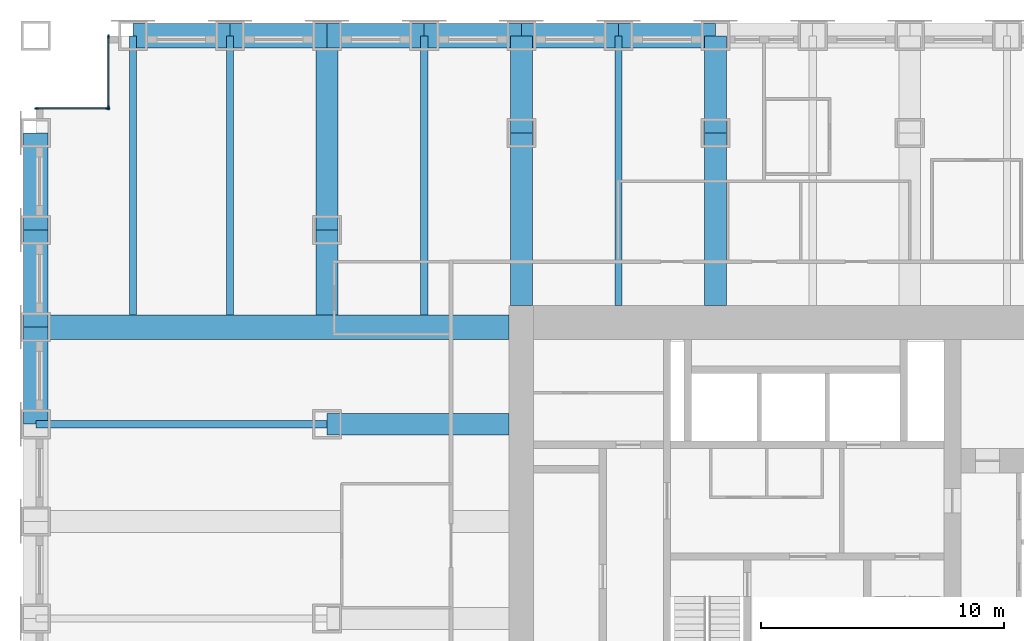
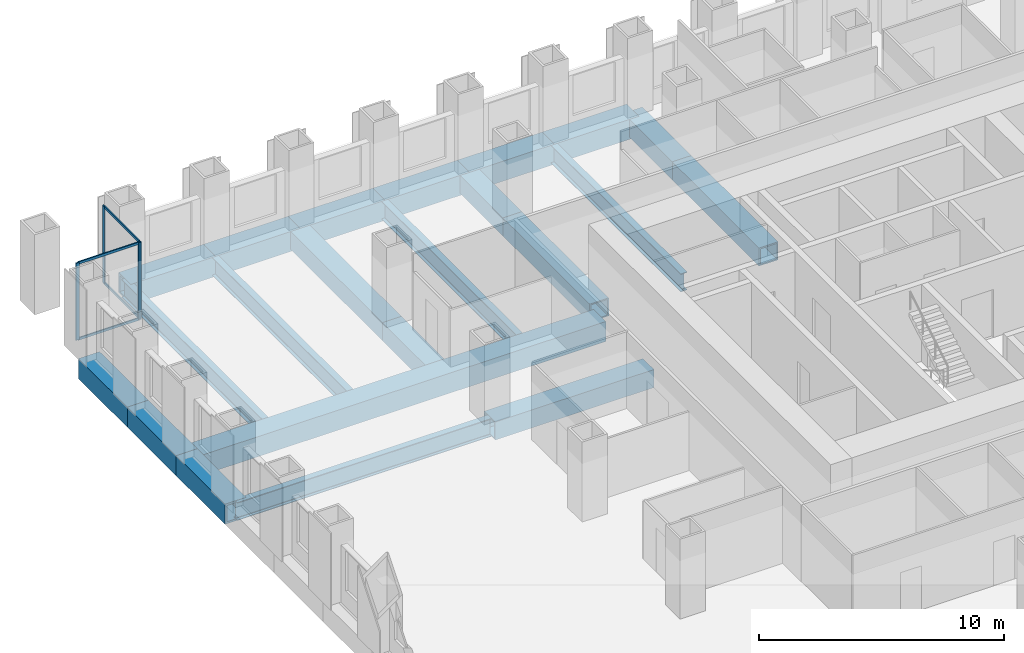
# One storey, part 5 of 14: 22 beams, 8 members, 2 elements without a shape of their own.
"""IFC4 building model written with IfcOpenShell, lengths in metres."""

from ifc_helpers import new_model, si_unit, direction, frame, origin, origin_2d, place, context, subcontext, project, spatial, rectangle, hollow_rectangle, i_section, extrude, material, material_profile, profile_set, type_object, element, aggregate, save


model = new_model("IFC4")

# Units and contexts
model_context = context("Model", 3, precision=1e-05, world=origin(), true_north=direction((0.0, 1.0)))
body_context = subcontext(model_context, "Body", "Model", "MODEL_VIEW")
ifc_project = project(units=[si_unit("LENGTHUNIT", "METRE"), si_unit("AREAUNIT", "SQUARE_METRE"), si_unit("VOLUMEUNIT", "CUBIC_METRE"), si_unit("PLANEANGLEUNIT", "RADIAN"), si_unit("MASSUNIT", "GRAM", prefix="KILO")], contexts=[model_context])

# Site, building, storey
site_placement = place(None, origin())
site = spatial("IfcSite", under=ifc_project, at=site_placement, CompositionType="ELEMENT")
building_placement = place(site_placement, origin())
building = spatial("IfcBuilding", under=site, at=building_placement, Name="Rimbunsela Tower", CompositionType="ELEMENT")
storey_placement = place(building_placement, frame((0.0, 0.0, 51.0)))
storey = spatial("IfcBuildingStorey", under=building, at=storey_placement, Name="L12", CompositionType="ELEMENT", Elevation=51.0)

# Beams
ifc_material_1 = material(Name="Steel BJ 55 (fy 410 MPa)", Category="steel")
ifc_material_profile_1 = material_profile(ifc_material_1, hollow_rectangle(XDim=1.0, YDim=1.0, WallThickness=0.10009765625, at=origin_2d()), Name="BOX 1000x1000x100")
ifc_profile_set_1 = profile_set([ifc_material_profile_1], Name="Steel BJ 55 (fy 410 MPa)")
beam_type_1 = type_object("IfcBeamType", Name="Beam BOX 1000x1000x100", PredefinedType="BEAM", material=ifc_profile_set_1)
for number, where, z_axis, x_axis, name in (
    (1, (-2.0, 32.0, -0.64990234375), (0.0, 1.0, 0.0), (-1.0, 0.0, 0.0), "Beam B3 L12"),
    (2, (-2.0, 36.0, -0.64990234375), (0.0, 1.0, 0.0), (-1.0, 0.0, 0.0), "Beam B3 L12"),
):
    element("IfcBeam", number, at=place(storey_placement, frame(where, z_axis=z_axis, x_axis=x_axis)), inside=storey, type_object=beam_type_1, Name=name, PredefinedType="BEAM", context=body_context, shape_type="SweptSolid", body=[
        extrude(hollow_rectangle(XDim=1.0, YDim=1.0, WallThickness=0.10009765625, at=origin_2d()), origin(), (0.0, 0.0, 1.0), 4.0),
    ])
beam_1_placement = place(storey_placement, frame((-2.0, 36.0, -0.64990234375), z_axis=(1.0, 0.0, 0.0), x_axis=(0.0, 1.0, 0.0)))
element("IfcBeam", 3, at=beam_1_placement, inside=storey, type_object=beam_type_1, Name="Beam B3 L12", PredefinedType="BEAM", context=body_context, shape_type="SweptSolid", body=[
    extrude(hollow_rectangle(XDim=1.0, YDim=1.0, WallThickness=0.10009765625, at=origin_2d()), origin(), (0.0, 0.0, 1.0), 19.5),
])
for number, where, z_axis, x_axis, name in (
    (4, (-2.0, 40.0, -0.64990234375), (0.0, 1.0, 0.0), (-1.0, 0.0, 0.0), "Beam B3 L12"),
    (5, (2.0, 48.0, -0.64990234375), (1.0, 0.0, 0.0), (0.0, 1.0, 0.0), "Beam B3 L12"),
    (6, (6.0, 48.0, -0.64990234375), (1.0, 0.0, 0.0), (0.0, 1.0, 0.0), "Beam B3 L12"),
    (7, (10.0, 48.0, -0.64990234375), (1.0, 0.0, 0.0), (0.0, 1.0, 0.0), "Beam B3 L12"),
    (8, (14.0, 48.0, -0.64990234375), (1.0, 0.0, 0.0), (0.0, 1.0, 0.0), "Beam B3 L12"),
    (9, (18.0, 48.0, -0.64990234375), (1.0, 0.0, 0.0), (0.0, 1.0, 0.0), "Beam B3 L12"),
    (10, (22.0, 48.0, -0.64990234375), (1.0, 0.0, 0.0), (0.0, 1.0, 0.0), "Beam B3 L12"),
):
    element("IfcBeam", number, at=place(storey_placement, frame(where, z_axis=z_axis, x_axis=x_axis)), inside=storey, type_object=beam_type_1, Name=name, PredefinedType="BEAM", context=body_context, shape_type="SweptSolid", body=[
        extrude(hollow_rectangle(XDim=1.0, YDim=1.0, WallThickness=0.10009765625, at=origin_2d()), origin(), (0.0, 0.0, 1.0), 4.0),
    ])
ifc_material_2 = material(Name="Steel BJ 55 (fy 410 MPa)", Category="steel")
ifc_material_profile_2 = material_profile(ifc_material_2, hollow_rectangle(XDim=0.89990234375, YDim=0.89990234375, WallThickness=0.06005859375, at=origin_2d()), Name="BOX 900x900x60")
ifc_profile_set_2 = profile_set([ifc_material_profile_2], Name="Steel BJ 55 (fy 410 MPa)")
beam_type_2 = type_object("IfcBeamType", Name="Beam BOX 900x900x60", PredefinedType="BEAM", material=ifc_profile_set_2)
beam_2_placement = place(storey_placement, frame((10.0, 32.0, -0.60009765625), z_axis=(1.0, 0.0, 0.0), x_axis=(0.0, 1.0, 0.0)))
element("IfcBeam", 11, at=beam_2_placement, inside=storey, type_object=beam_type_2, Name="Beam B1 L12", PredefinedType="BEAM", context=body_context, shape_type="SweptSolid", body=[
    extrude(hollow_rectangle(XDim=0.89990234375, YDim=0.89990234375, WallThickness=0.06005859375, at=origin_2d()), origin(), (0.0, 0.0, 1.0), 7.5),
])
beam_3_placement = place(storey_placement, frame((10.0, 36.5, -0.60009765625), z_axis=(0.0, 1.0, 0.0), x_axis=(-1.0, 0.0, 0.0)))
element("IfcBeam", 12, at=beam_3_placement, inside=storey, type_object=beam_type_2, Name="Beam B1 L12", PredefinedType="BEAM", context=body_context, shape_type="SweptSolid", body=[
    extrude(hollow_rectangle(XDim=0.89990234375, YDim=0.89990234375, WallThickness=0.06005859375, at=origin_2d()), origin(), (0.0, 0.0, 1.0), 3.5),
])
beam_4_placement = place(storey_placement, frame((10.0, 40.0, -0.60009765625), z_axis=(0.0, 1.0, 0.0), x_axis=(-1.0, 0.0, 0.0)))
element("IfcBeam", 13, at=beam_4_placement, inside=storey, type_object=beam_type_2, Name="Beam B1 L12", PredefinedType="BEAM", context=body_context, shape_type="SweptSolid", body=[
    extrude(hollow_rectangle(XDim=0.89990234375, YDim=0.89990234375, WallThickness=0.06005859375, at=origin_2d()), origin(), (0.0, 0.0, 1.0), 8.0),
])
beam_5_placement = place(storey_placement, frame((18.0, 36.89990234375, -0.60009765625), z_axis=(0.0, 1.0, 0.0), x_axis=(-1.0, 0.0, 0.0)))
element("IfcBeam", 14, at=beam_5_placement, inside=storey, type_object=beam_type_2, Name="Beam B1 L12", PredefinedType="BEAM", context=body_context, shape_type="SweptSolid", body=[
    extrude(hollow_rectangle(XDim=0.89990234375, YDim=0.89990234375, WallThickness=0.06005859375, at=origin_2d()), origin(), (0.0, 0.0, 1.0), 7.10009765625),
])
beam_6_placement = place(storey_placement, frame((18.0, 44.0, -0.60009765625), z_axis=(0.0, 1.0, 0.0), x_axis=(-1.0, 0.0, 0.0)))
element("IfcBeam", 15, at=beam_6_placement, inside=storey, type_object=beam_type_2, Name="Beam B1 L12", PredefinedType="BEAM", context=body_context, shape_type="SweptSolid", body=[
    extrude(hollow_rectangle(XDim=0.89990234375, YDim=0.89990234375, WallThickness=0.06005859375, at=origin_2d()), origin(), (0.0, 0.0, 1.0), 4.0),
])
beam_7_placement = place(storey_placement, frame((26.0, 36.89990234375, -0.60009765625), z_axis=(0.0, 1.0, 0.0), x_axis=(-1.0, 0.0, 0.0)))
element("IfcBeam", 16, at=beam_7_placement, inside=storey, type_object=beam_type_2, Name="Beam B1 L12", PredefinedType="BEAM", context=body_context, shape_type="SweptSolid", body=[
    extrude(hollow_rectangle(XDim=0.89990234375, YDim=0.89990234375, WallThickness=0.06005859375, at=origin_2d()), origin(), (0.0, 0.0, 1.0), 7.10009765625),
])
beam_8_placement = place(storey_placement, frame((26.0, 44.0, -0.60009765625), z_axis=(0.0, 1.0, 0.0), x_axis=(-1.0, 0.0, 0.0)))
element("IfcBeam", 17, at=beam_8_placement, inside=storey, type_object=beam_type_2, Name="Beam B1 L12", PredefinedType="BEAM", context=body_context, shape_type="SweptSolid", body=[
    extrude(hollow_rectangle(XDim=0.89990234375, YDim=0.89990234375, WallThickness=0.06005859375, at=origin_2d()), origin(), (0.0, 0.0, 1.0), 4.0),
])
ifc_material_3 = material(Name="Steel BJ 55 (fy 410 MPa)", Category="steel")
ifc_material_profile_3 = material_profile(ifc_material_3, i_section(OverallWidth=0.300048828125, OverallDepth=0.89990234375, WebThickness=0.01611328125, FlangeThickness=0.028076171875, FilletRadius=0.028076171875, at=origin_2d()), Name="H 900x300x16x28")
ifc_profile_set_3 = profile_set([ifc_material_profile_3], Name="Steel BJ 55 (fy 410 MPa)")
beam_type_3 = type_object("IfcBeamType", Name="Beam H 900x300x16x28", PredefinedType="BEAM", material=ifc_profile_set_3)
beam_9_placement = place(storey_placement, frame((-2.0, 32.0, -0.60009765625), z_axis=(1.0, 0.0, 0.0), x_axis=(0.0, 1.0, 0.0)))
element("IfcBeam", 18, at=beam_9_placement, inside=storey, type_object=beam_type_3, Name="Beam B2 L12", PredefinedType="BEAM", context=body_context, shape_type="SweptSolid", body=[
    extrude(i_section(OverallWidth=0.300048828125, OverallDepth=0.89990234375, WebThickness=0.01611328125, FlangeThickness=0.028076171875, FilletRadius=0.028076171875, at=origin_2d()), origin(), (0.0, 0.0, 1.0), 12.0),
])
for number, where, z_axis, x_axis, name in (
    (19, (2.0, 36.5, -0.60009765625), (0.0, 1.0, 0.0), (-1.0, 0.0, 0.0), "Beam B2 L12"),
    (20, (6.0, 36.5, -0.60009765625), (0.0, 1.0, 0.0), (-1.0, 0.0, 0.0), "Beam B2 L12"),
    (21, (14.0, 36.5, -0.60009765625), (0.0, 1.0, 0.0), (-1.0, 0.0, 0.0), "Beam B2 L12"),
):
    element("IfcBeam", number, at=place(storey_placement, frame(where, z_axis=z_axis, x_axis=x_axis)), inside=storey, type_object=beam_type_3, Name=name, PredefinedType="BEAM", context=body_context, shape_type="SweptSolid", body=[
        extrude(i_section(OverallWidth=0.300048828125, OverallDepth=0.89990234375, WebThickness=0.01611328125, FlangeThickness=0.028076171875, FilletRadius=0.028076171875, at=origin_2d()), origin(), (0.0, 0.0, 1.0), 11.5),
    ])
beam_10_placement = place(storey_placement, frame((22.0, 36.89990234375, -0.60009765625), z_axis=(0.0, 1.0, 0.0), x_axis=(-1.0, 0.0, 0.0)))
element("IfcBeam", 22, at=beam_10_placement, inside=storey, type_object=beam_type_3, Name="Beam B2 L12", PredefinedType="BEAM", context=body_context, shape_type="SweptSolid", body=[
    extrude(i_section(OverallWidth=0.300048828125, OverallDepth=0.89990234375, WebThickness=0.01611328125, FlangeThickness=0.028076171875, FilletRadius=0.028076171875, at=origin_2d()), origin(), (0.0, 0.0, 1.0), 11.10009765625),
])

# Curtain wall, members
ifc_material_4 = material(Name="Aluminium curtain wall", Category="aluminium")
curtain_wall_type = type_object("IfcCurtainWallType", Name="Corner glazing", PredefinedType="USERDEFINED", material=ifc_material_4)
curtain_wall_1_placement = place(storey_placement, origin())
curtain_wall_1 = element("IfcCurtainWall", 23, at=curtain_wall_1_placement, inside=storey, type_object=curtain_wall_type, Name="Corner glazing L12", ObjectType="CORNER GLAZING", PredefinedType="USERDEFINED")
ifc_material_5 = material(Name="Aluminium mullion", Category="aluminium")
ifc_material_profile_4 = material_profile(ifc_material_5, rectangle(XDim=0.06005859375, YDim=0.159912109375, at=origin_2d()), Name="Mullion 60x160")
ifc_profile_set_4 = profile_set([ifc_material_profile_4], Name="Aluminium mullion")
member_type_1 = type_object("IfcMemberType", Name="Curtain wall mullion 60x160", PredefinedType="MULLION", material=ifc_profile_set_4)
member_1_placement = place(storey_placement, frame((1.0, 47.969970703125, 0.0), z_axis=(0.0, 0.0, 1.0), x_axis=(1.0, 0.0, 0.0)))
member_1 = element("IfcMember", 24, at=member_1_placement, type_object=member_type_1, Name="CW5 mullion 1", PredefinedType="MULLION", context=body_context, shape_type="SweptSolid", body=[
    extrude(rectangle(XDim=0.06005859375, YDim=0.159912109375, at=origin_2d()), origin(), (0.0, 0.0, 1.0), 3.85009765625),
])
member_2_placement = place(storey_placement, frame((1.0, 45.030029296875, 0.0), z_axis=(0.0, 0.0, 1.0), x_axis=(1.0, 0.0, 0.0)))
member_2 = element("IfcMember", 25, at=member_2_placement, type_object=member_type_1, Name="CW5 mullion 2", PredefinedType="MULLION", context=body_context, shape_type="SweptSolid", body=[
    extrude(rectangle(XDim=0.06005859375, YDim=0.159912109375, at=origin_2d()), origin(), (0.0, 0.0, 1.0), 3.85009765625),
])

curtain_wall_2_placement = place(storey_placement, origin())
curtain_wall_2 = element("IfcCurtainWall", 26, at=curtain_wall_2_placement, inside=storey, type_object=curtain_wall_type, Name="Corner glazing L12", ObjectType="CORNER GLAZING", PredefinedType="USERDEFINED")
member_3_placement = place(storey_placement, frame((0.969970703125, 45.0, 0.0), z_axis=(0.0, 0.0, 1.0), x_axis=(0.0, -1.0, 0.0)))
member_3 = element("IfcMember", 27, at=member_3_placement, type_object=member_type_1, Name="CW5 mullion 1", PredefinedType="MULLION", context=body_context, shape_type="SweptSolid", body=[
    extrude(rectangle(XDim=0.06005859375, YDim=0.159912109375, at=origin_2d()), origin(), (0.0, 0.0, 1.0), 3.85009765625),
])
member_4_placement = place(storey_placement, frame((-1.969970703125, 45.0, 0.0), z_axis=(0.0, 0.0, 1.0), x_axis=(0.0, -1.0, 0.0)))
member_4 = element("IfcMember", 28, at=member_4_placement, type_object=member_type_1, Name="CW5 mullion 2", PredefinedType="MULLION", context=body_context, shape_type="SweptSolid", body=[
    extrude(rectangle(XDim=0.06005859375, YDim=0.159912109375, at=origin_2d()), origin(), (0.0, 0.0, 1.0), 3.85009765625),
])

# Member
ifc_material_6 = material(Name="Aluminium transom", Category="aluminium")
ifc_material_profile_5 = material_profile(ifc_material_6, rectangle(XDim=0.06005859375, YDim=0.1201171875, at=origin_2d()), Name="Transom 60x120")
ifc_profile_set_5 = profile_set([ifc_material_profile_5], Name="Aluminium transom")
member_type_2 = type_object("IfcMemberType", Name="Curtain wall transom 60x120", PredefinedType="USERDEFINED", material=ifc_profile_set_5)
member_5_placement = place(storey_placement, frame((1.0, 47.93994140625, 0.030029296875), z_axis=(0.0, -1.0, 0.0), x_axis=(1.0, 0.0, 0.0)))
member_5 = element("IfcMember", 29, at=member_5_placement, type_object=member_type_2, Name="CW5 transom 1.1", ObjectType="TRANSOM", PredefinedType="USERDEFINED", context=body_context, shape_type="SweptSolid", body=[
    extrude(rectangle(XDim=0.06005859375, YDim=0.1201171875, at=origin_2d()), origin(), (0.0, 0.0, 1.0), 2.8798828125),
])

member_6_placement = place(storey_placement, frame((1.0, 47.93994140625, 3.820068359375), z_axis=(0.0, -1.0, 0.0), x_axis=(1.0, 0.0, 0.0)))
member_6 = element("IfcMember", 30, at=member_6_placement, type_object=member_type_2, Name="CW5 transom 1.2", ObjectType="TRANSOM", PredefinedType="USERDEFINED", context=body_context, shape_type="SweptSolid", body=[
    extrude(rectangle(XDim=0.06005859375, YDim=0.1201171875, at=origin_2d()), origin(), (0.0, 0.0, 1.0), 2.8798828125),
])

aggregate(curtain_wall_1, [member_1, member_2, member_5, member_6])

member_7_placement = place(storey_placement, frame((0.93994140625, 45.0, 0.030029296875), z_axis=(-1.0, 0.0, 0.0), x_axis=(0.0, -1.0, 0.0)))
member_7 = element("IfcMember", 31, at=member_7_placement, type_object=member_type_2, Name="CW5 transom 1.1", ObjectType="TRANSOM", PredefinedType="USERDEFINED", context=body_context, shape_type="SweptSolid", body=[
    extrude(rectangle(XDim=0.06005859375, YDim=0.1201171875, at=origin_2d()), origin(), (0.0, 0.0, 1.0), 2.8798828125),
])

member_8_placement = place(storey_placement, frame((0.93994140625, 45.0, 3.820068359375), z_axis=(-1.0, 0.0, 0.0), x_axis=(0.0, -1.0, 0.0)))
member_8 = element("IfcMember", 32, at=member_8_placement, type_object=member_type_2, Name="CW5 transom 1.2", ObjectType="TRANSOM", PredefinedType="USERDEFINED", context=body_context, shape_type="SweptSolid", body=[
    extrude(rectangle(XDim=0.06005859375, YDim=0.1201171875, at=origin_2d()), origin(), (0.0, 0.0, 1.0), 2.8798828125),
])

aggregate(curtain_wall_2, [member_3, member_4, member_7, member_8])

save(model, "model.ifc")
